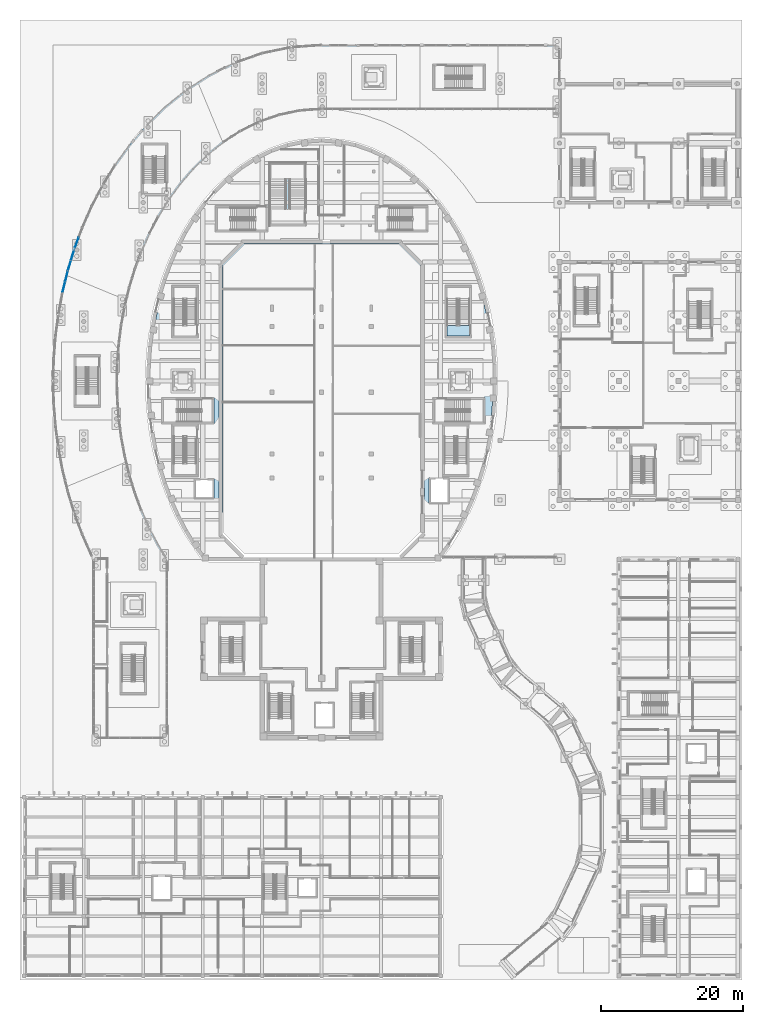
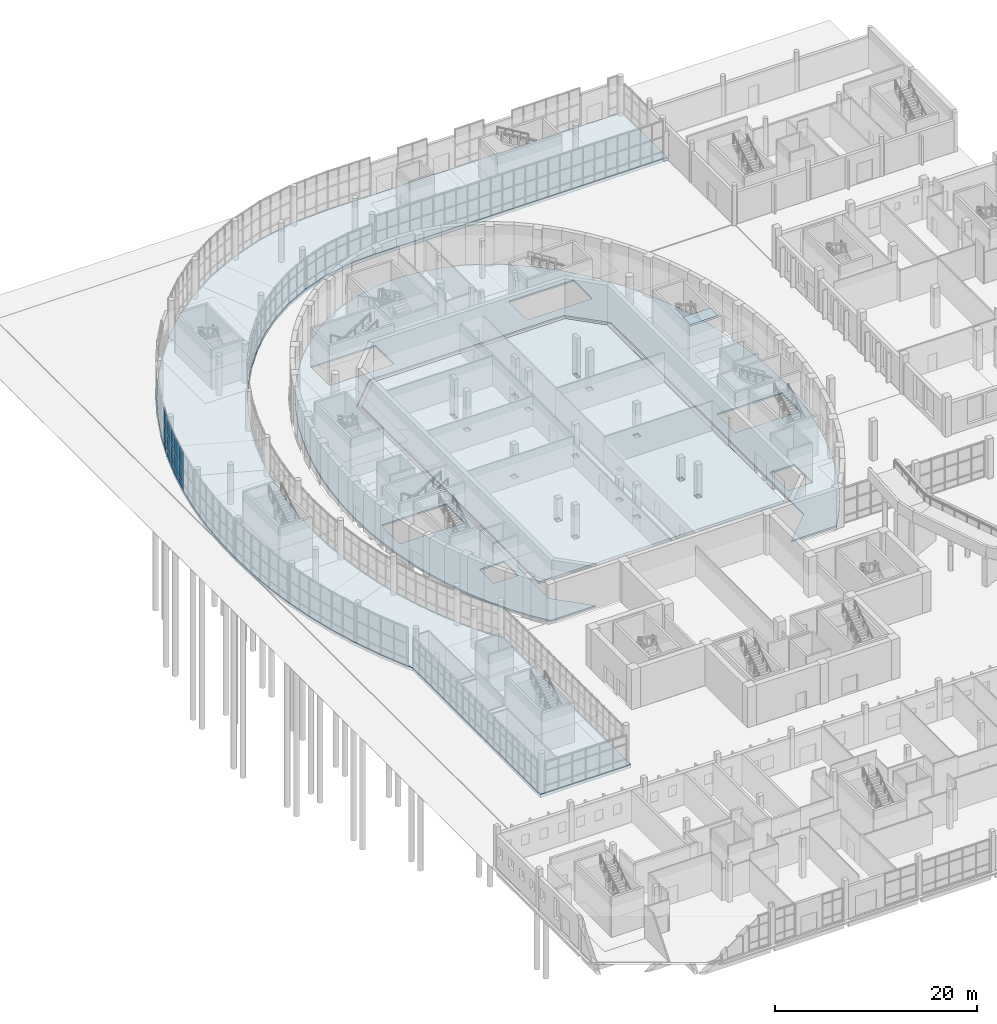
# One storey, part 46 of 110: 15 plates, 4 slabs, 4 elements without a shape of their own.
"""IFC4 building model written with IfcOpenShell, lengths in metres."""

from ifc_helpers import new_model, si_unit, direction, frame, origin, origin_2d, place, context, subcontext, project, spatial, polyline, rectangle, outline, extrude, material, layer, layer_set, type_object, element, aggregate, save


model = new_model("IFC4")

# Units and contexts
model_context = context("Model", 3, precision=1e-05, world=origin(), true_north=direction((0.0, 1.0)))
body_context = subcontext(model_context, "Body", "Model", "MODEL_VIEW")
ifc_project = project(units=[si_unit("LENGTHUNIT", "METRE"), si_unit("AREAUNIT", "SQUARE_METRE"), si_unit("VOLUMEUNIT", "CUBIC_METRE"), si_unit("PLANEANGLEUNIT", "RADIAN"), si_unit("MASSUNIT", "GRAM", prefix="KILO")], contexts=[model_context])

# Site, building, storey
site_placement = place(None, origin())
site = spatial("IfcSite", under=ifc_project, at=site_placement, CompositionType="ELEMENT")
building_placement = place(site_placement, origin())
building = spatial("IfcBuilding", under=site, at=building_placement, Name="Larchfold Concert Hall", CompositionType="ELEMENT")
storey_placement = place(building_placement, origin())
storey = spatial("IfcBuildingStorey", under=building, at=storey_placement, Name="L00", CompositionType="ELEMENT", Elevation=0.0)

# Slab
ifc_material_1 = material(Name="Concrete C35/45", Category="concrete")
ifc_layer_1 = layer(ifc_material_1, 0.39990234375)
ifc_layer_set_1 = layer_set([ifc_layer_1], Name="Concrete C35/45")
slab_type_1 = type_object("IfcSlabType", Name="Base slab 400", PredefinedType="BASESLAB", material=ifc_layer_set_1)
slab_1_placement = place(storey_placement, frame((0.0, 0.0, -0.400146484375)))
element("IfcSlab", 1, at=slab_1_placement, inside=storey, type_object=slab_type_1, Name="Slab S0008", PredefinedType="BASESLAB", context=body_context, shape_type="SweptSolid", body=[
    extrude(outline(polyline([(20.748779296875, 59.39990234375), (19.5185546875, 61.3994140625), (18.2529296875, 63.821044921875), (17.15625, 66.303955078125), (16.22021484375, 68.8369140625), (15.43896484375, 71.40966796875), (14.806884765625, 74.01318359375), (14.319580078125, 76.64013671875), (13.973876953125, 79.2841796875), (13.767333984375, 81.939453125), (13.69873046875, 84.60009765625), (13.767333984375, 87.2607421875), (13.973876953125, 89.916015625), (14.319580078125, 92.56005859375), (14.806884765625, 95.18701171875), (15.43896484375, 97.79052734375), (16.22021484375, 100.36328125), (17.15625, 102.896240234375), (18.2529296875, 105.379150390625), (19.5185546875, 107.80078125), (20.961669921875, 110.145751953125), (22.591552734375, 112.39599609375), (24.41748046875, 114.52783203125), (26.4482421875, 116.513427734375), (28.689697265625, 118.3173828125), (31.140625, 119.8974609375), (33.79150390625, 121.204833984375), (36.61669921875, 122.18896484375), (39.57275390625, 122.802001953125), (42.60009765625, 123.010498046875), (76.199951171875, 123.0), (76.199951171875, 132.0), (42.60009765625, 132.0), (38.343994140625, 131.738525390625), (34.212890625, 130.8818359375), (30.3076171875, 129.521728515625), (26.697509765625, 127.740966796875), (23.41552734375, 125.62548828125), (20.466796875, 123.252197265625), (17.841064453125, 120.6845703125), (15.517822265625, 117.972412109375), (13.47412109375, 115.151123046875), (11.688232421875, 112.2490234375), (10.139892578125, 109.285888671875), (8.810791015625, 106.277587890625), (7.685791015625, 103.23291015625), (6.753173828125, 100.161865234375), (6.002685546875, 97.07080078125), (5.4267578125, 93.96533203125), (5.01904296875, 90.84912109375), (4.7763671875, 87.725830078125), (4.695556640625, 84.60009765625), (4.7763671875, 81.474365234375), (5.01904296875, 78.35107421875), (5.4267578125, 75.23486328125), (6.002685546875, 72.12939453125), (6.753173828125, 69.038330078125), (7.685791015625, 65.96728515625), (8.810791015625, 62.922607421875), (10.139892578125, 59.914306640625), (10.408447265625, 59.39990234375), (10.408447265625, 34.199951171875), (20.748779296875, 34.199951171875), (20.748779296875, 59.39990234375)])), origin(), (0.0, 0.0, 1.0), 0.400146484375),
])

# Curtain wall, plates
ifc_material_2 = material(Name="Anodised graphite aluminium curtain wall", Category="aluminium")
ifc_layer_2 = layer(ifc_material_2, 0.14990234375)
ifc_layer_set_2 = layer_set([ifc_layer_2], Name="Anodised graphite aluminium curtain wall")
curtain_wall_type = type_object("IfcCurtainWallType", Name="Curtain wall WG", PredefinedType="NOTDEFINED", material=ifc_layer_set_2)
curtain_wall_1_placement = place(storey_placement, origin())
curtain_wall_1 = element("IfcCurtainWall", 2, at=curtain_wall_1_placement, inside=storey, type_object=curtain_wall_type, Name="Curtain wall CW0112", PredefinedType="NOTDEFINED")
ifc_material_3 = material(Name="Insulated glazing unit, glass", Category="glass")
ifc_layer_3 = layer(ifc_material_3, 0.028076171875)
ifc_layer_set_3 = layer_set([ifc_layer_3], Name="Insulated glazing unit, glass")
plate_type_1 = type_object("IfcPlateType", Name="Glass panel 28", PredefinedType="CURTAIN_PANEL", material=ifc_layer_set_3)
plate_1_placement = place(storey_placement, frame((8.01708984375, 104.129638671875, 0.93994140625), z_axis=(0.0, 0.0, 1.0), x_axis=(-0.346592402451, -0.938015834921, 0.0)))
plate_1 = element("IfcPlate", 3, at=plate_1_placement, type_object=plate_type_1, Name="CW0112 panel 2.2", PredefinedType="CURTAIN_PANEL", context=body_context, shape_type="SweptSolid", body=[
    extrude(rectangle(XDim=1.446533203125, YDim=0.028076171875, at=origin_2d()), origin(), (0.0, 0.0, 1.0), 1.719970703125),
])
plate_2_placement = place(storey_placement, frame((8.01708984375, 104.129638671875, 2.740234375), z_axis=(0.0, 0.0, 1.0), x_axis=(-0.346592402451, -0.938015834921, 0.0)))
plate_2 = element("IfcPlate", 4, at=plate_2_placement, type_object=plate_type_1, Name="CW0112 panel 2.3", PredefinedType="CURTAIN_PANEL", context=body_context, shape_type="SweptSolid", body=[
    extrude(rectangle(XDim=1.446533203125, YDim=0.028076171875, at=origin_2d()), origin(), (0.0, 0.0, 1.0), 1.829833984375),
])

curtain_wall_2_placement = place(storey_placement, origin())
curtain_wall_2 = element("IfcCurtainWall", 5, at=curtain_wall_2_placement, inside=storey, type_object=curtain_wall_type, Name="Curtain wall CW0113", PredefinedType="NOTDEFINED")
plate_3_placement = place(storey_placement, frame((7.412109375, 102.3310546875, 0.93994140625), z_axis=(0.0, 0.0, 1.0), x_axis=(-0.290621975967, -0.956837952364, 0.0)))
plate_3 = element("IfcPlate", 6, at=plate_3_placement, type_object=plate_type_1, Name="CW0113 panel 1.2", PredefinedType="CURTAIN_PANEL", context=body_context, shape_type="SweptSolid", body=[
    extrude(rectangle(XDim=1.431396484375, YDim=0.028076171875, at=origin_2d()), origin(), (0.0, 0.0, 1.0), 1.719970703125),
])
plate_4_placement = place(storey_placement, frame((7.412109375, 102.3310546875, 2.740234375), z_axis=(0.0, 0.0, 1.0), x_axis=(-0.290621975967, -0.956837952364, 0.0)))
plate_4 = element("IfcPlate", 7, at=plate_4_placement, type_object=plate_type_1, Name="CW0113 panel 1.3", PredefinedType="CURTAIN_PANEL", context=body_context, shape_type="SweptSolid", body=[
    extrude(rectangle(XDim=1.431396484375, YDim=0.028076171875, at=origin_2d()), origin(), (0.0, 0.0, 1.0), 1.829833984375),
])
plate_5_placement = place(storey_placement, frame((6.978515625, 100.904052734375, 0.93994140625), z_axis=(0.0, 0.0, 1.0), x_axis=(-0.290621975967, -0.956837952364, 0.0)))
plate_5 = element("IfcPlate", 8, at=plate_5_placement, type_object=plate_type_1, Name="CW0113 panel 2.2", PredefinedType="CURTAIN_PANEL", context=body_context, shape_type="SweptSolid", body=[
    extrude(rectangle(XDim=1.431396484375, YDim=0.028076171875, at=origin_2d()), origin(), (0.0, 0.0, 1.0), 1.719970703125),
])
plate_6_placement = place(storey_placement, frame((6.978515625, 100.904052734375, 2.740234375), z_axis=(0.0, 0.0, 1.0), x_axis=(-0.290621975967, -0.956837952364, 0.0)))
plate_6 = element("IfcPlate", 9, at=plate_6_placement, type_object=plate_type_1, Name="CW0113 panel 2.3", PredefinedType="CURTAIN_PANEL", context=body_context, shape_type="SweptSolid", body=[
    extrude(rectangle(XDim=1.431396484375, YDim=0.028076171875, at=origin_2d()), origin(), (0.0, 0.0, 1.0), 1.829833984375),
])

curtain_wall_3_placement = place(storey_placement, origin())
curtain_wall_3 = element("IfcCurtainWall", 10, at=curtain_wall_3_placement, inside=storey, type_object=curtain_wall_type, Name="Curtain wall CW0114", PredefinedType="NOTDEFINED")
plate_7_placement = place(storey_placement, frame((6.56201171875, 99.37451171875, 0.93994140625), z_axis=(0.0, 0.0, 1.0), x_axis=(-0.235938309687, -0.97176803509, 0.0)))
plate_7 = element("IfcPlate", 11, at=plate_7_placement, type_object=plate_type_1, Name="CW0114 panel 1.2", PredefinedType="CURTAIN_PANEL", context=body_context, shape_type="SweptSolid", body=[
    extrude(rectangle(XDim=1.50048828125, YDim=0.028076171875, at=origin_2d()), origin(), (0.0, 0.0, 1.0), 1.719970703125),
])
plate_8_placement = place(storey_placement, frame((6.56201171875, 99.37451171875, 2.740234375), z_axis=(0.0, 0.0, 1.0), x_axis=(-0.235938309687, -0.97176803509, 0.0)))
plate_8 = element("IfcPlate", 12, at=plate_8_placement, type_object=plate_type_1, Name="CW0114 panel 1.3", PredefinedType="CURTAIN_PANEL", context=body_context, shape_type="SweptSolid", body=[
    extrude(rectangle(XDim=1.50048828125, YDim=0.028076171875, at=origin_2d()), origin(), (0.0, 0.0, 1.0), 1.829833984375),
])
plate_9_placement = place(storey_placement, frame((6.19384765625, 97.858154296875, 0.93994140625), z_axis=(0.0, 0.0, 1.0), x_axis=(-0.235938309687, -0.97176803509, 0.0)))
plate_9 = element("IfcPlate", 13, at=plate_9_placement, type_object=plate_type_1, Name="CW0114 panel 2.2", PredefinedType="CURTAIN_PANEL", context=body_context, shape_type="SweptSolid", body=[
    extrude(rectangle(XDim=1.50048828125, YDim=0.028076171875, at=origin_2d()), origin(), (0.0, 0.0, 1.0), 1.719970703125),
])
plate_10_placement = place(storey_placement, frame((6.19384765625, 97.858154296875, 2.740234375), z_axis=(0.0, 0.0, 1.0), x_axis=(-0.235938309687, -0.97176803509, 0.0)))
plate_10 = element("IfcPlate", 14, at=plate_10_placement, type_object=plate_type_1, Name="CW0114 panel 2.3", PredefinedType="CURTAIN_PANEL", context=body_context, shape_type="SweptSolid", body=[
    extrude(rectangle(XDim=1.50048828125, YDim=0.028076171875, at=origin_2d()), origin(), (0.0, 0.0, 1.0), 1.829833984375),
])

# Plate
ifc_material_4 = material(Name="White insulated panel")
ifc_layer_4 = layer(ifc_material_4, 0.06005859375)
ifc_layer_set_4 = layer_set([ifc_layer_4], Name="White insulated panel")
plate_type_2 = type_object("IfcPlateType", Name="Insulated spandrel panel 60", PredefinedType="CURTAIN_PANEL", material=ifc_layer_set_4)
plate_11_placement = place(storey_placement, frame((8.01708984375, 104.129638671875, 0.080078125), z_axis=(0.0, 0.0, 1.0), x_axis=(-0.346592402451, -0.938015834921, 0.0)))
plate_11 = element("IfcPlate", 15, at=plate_11_placement, type_object=plate_type_2, Name="CW0112 panel 2.1", PredefinedType="CURTAIN_PANEL", context=body_context, shape_type="SweptSolid", body=[
    extrude(rectangle(XDim=1.446533203125, YDim=0.06005859375, at=origin_2d()), origin(), (0.0, 0.0, 1.0), 0.77978515625),
])

aggregate(curtain_wall_1, [plate_11, plate_1, plate_2])

plate_12_placement = place(storey_placement, frame((7.412109375, 102.3310546875, 0.080078125), z_axis=(0.0, 0.0, 1.0), x_axis=(-0.290621975967, -0.956837952364, 0.0)))
plate_12 = element("IfcPlate", 16, at=plate_12_placement, type_object=plate_type_2, Name="CW0113 panel 1.1", PredefinedType="CURTAIN_PANEL", context=body_context, shape_type="SweptSolid", body=[
    extrude(rectangle(XDim=1.431396484375, YDim=0.06005859375, at=origin_2d()), origin(), (0.0, 0.0, 1.0), 0.77978515625),
])

plate_13_placement = place(storey_placement, frame((6.978515625, 100.904052734375, 0.080078125), z_axis=(0.0, 0.0, 1.0), x_axis=(-0.290621975967, -0.956837952364, 0.0)))
plate_13 = element("IfcPlate", 17, at=plate_13_placement, type_object=plate_type_2, Name="CW0113 panel 2.1", PredefinedType="CURTAIN_PANEL", context=body_context, shape_type="SweptSolid", body=[
    extrude(rectangle(XDim=1.431396484375, YDim=0.06005859375, at=origin_2d()), origin(), (0.0, 0.0, 1.0), 0.77978515625),
])

aggregate(curtain_wall_2, [plate_12, plate_3, plate_4, plate_13, plate_5, plate_6])

plate_14_placement = place(storey_placement, frame((6.56201171875, 99.37451171875, 0.080078125), z_axis=(0.0, 0.0, 1.0), x_axis=(-0.235938309687, -0.97176803509, 0.0)))
plate_14 = element("IfcPlate", 18, at=plate_14_placement, type_object=plate_type_2, Name="CW0114 panel 1.1", PredefinedType="CURTAIN_PANEL", context=body_context, shape_type="SweptSolid", body=[
    extrude(rectangle(XDim=1.50048828125, YDim=0.06005859375, at=origin_2d()), origin(), (0.0, 0.0, 1.0), 0.77978515625),
])

plate_15_placement = place(storey_placement, frame((6.19384765625, 97.858154296875, 0.080078125), z_axis=(0.0, 0.0, 1.0), x_axis=(-0.235938309687, -0.97176803509, 0.0)))
plate_15 = element("IfcPlate", 19, at=plate_15_placement, type_object=plate_type_2, Name="CW0114 panel 2.1", PredefinedType="CURTAIN_PANEL", context=body_context, shape_type="SweptSolid", body=[
    extrude(rectangle(XDim=1.50048828125, YDim=0.06005859375, at=origin_2d()), origin(), (0.0, 0.0, 1.0), 0.77978515625),
])

aggregate(curtain_wall_3, [plate_14, plate_7, plate_8, plate_15, plate_9, plate_10])

# Slabs
ifc_material_5 = material(Name="Concrete C35/45", Category="concrete")
ifc_layer_5 = layer(ifc_material_5, 0.199951171875)
ifc_layer_set_5 = layer_set([ifc_layer_5], Name="Concrete C35/45")
slab_type_2 = type_object("IfcSlabType", Name="Slab 200", PredefinedType="FLOOR", material=ifc_layer_set_5)
slab_2_placement = place(storey_placement, frame((0.0, 0.0, -0.2001953125)))
element("IfcSlab", 20, at=slab_2_placement, inside=storey, type_object=slab_type_2, Name="Slab S0006", PredefinedType="FLOOR", context=body_context, shape_type="SweptSolid", body=[
    extrude(outline(polyline([(24.913818359375, 61.515380859375), (26.27978515625, 59.64990234375), (31.45751953125, 59.64990234375), (28.078857421875, 63.02880859375), (28.070068359375, 101.10009765625), (31.478759765625, 104.521240234375), (53.699951171875, 104.530029296875), (57.121337890625, 101.121337890625), (57.130126953125, 63.050048828125), (53.742431640625, 59.64990234375), (58.92041015625, 59.64990234375), (60.286376953125, 61.515380859375), (61.56884765625, 63.580078125), (62.703125, 65.731201171875), (63.69287109375, 67.953369140625), (64.541748046875, 70.234375), (65.253662109375, 72.562255859375), (65.83203125, 74.927490234375), (66.27880859375, 77.321533203125), (66.5966796875, 79.736328125), (66.786865234375, 82.164794921875), (66.85009765625, 84.60009765625), (66.78759765625, 87.020263671875), (66.599853515625, 89.433837890625), (66.285888671875, 91.833984375), (65.844482421875, 94.2138671875), (65.273681640625, 96.5654296875), (64.570556640625, 98.88037109375), (63.732177734375, 101.149169921875), (62.75537109375, 103.360595703125), (61.635986328125, 105.502685546875), (60.3701171875, 107.5595703125), (58.953857421875, 109.514892578125), (57.384765625, 111.3466796875), (55.661376953125, 113.03173828125), (53.78564453125, 114.541748046875), (51.763671875, 115.844970703125), (49.60888671875, 116.907958984375), (47.34130859375, 117.697509765625), (44.992431640625, 118.1845703125), (42.60009765625, 118.349609375), (40.207763671875, 118.1845703125), (37.85888671875, 117.697509765625), (35.59130859375, 116.907958984375), (33.4365234375, 115.844970703125), (31.41455078125, 114.541748046875), (29.538818359375, 113.03173828125), (27.8154296875, 111.3466796875), (26.246337890625, 109.514892578125), (24.830078125, 107.5595703125), (23.564208984375, 105.502685546875), (22.44482421875, 103.360595703125), (21.468017578125, 101.149169921875), (20.629638671875, 98.88037109375), (19.926513671875, 96.5654296875), (19.355712890625, 94.2138671875), (18.914306640625, 91.833984375), (18.600341796875, 89.433837890625), (18.41259765625, 87.020263671875), (18.35009765625, 84.60009765625), (18.413330078125, 82.164794921875), (18.603515625, 79.736328125), (18.92138671875, 77.321533203125), (19.3681640625, 74.927490234375), (19.946533203125, 72.562255859375), (20.658447265625, 70.234375), (21.50732421875, 67.953369140625), (22.4970703125, 65.731201171875), (23.63134765625, 63.580078125), (24.913818359375, 61.515380859375)]), holes=[polyline([(57.800048828125, 67.300048828125), (57.800048828125, 70.89990234375), (60.60009765625, 70.89990234375), (60.60009765625, 67.300048828125), (57.800048828125, 67.300048828125)]), polyline([(24.60009765625, 70.800048828125), (27.39990234375, 70.800048828125), (27.39990234375, 68.0), (24.60009765625, 68.0), (24.60009765625, 70.800048828125)]), polyline([(20.0, 82.25), (27.39990234375, 82.25), (27.39990234375, 78.550048828125), (20.0, 78.550048828125), (20.0, 82.25)]), polyline([(58.300048828125, 78.550048828125), (58.300048828125, 82.25), (65.699951171875, 82.25), (65.699951171875, 78.550048828125), (58.300048828125, 78.550048828125)]), polyline([(27.60009765625, 109.35009765625), (35.0, 109.35009765625), (35.0, 105.64990234375), (27.60009765625, 105.64990234375), (27.60009765625, 109.35009765625)]), polyline([(50.199951171875, 109.35009765625), (57.60009765625, 109.35009765625), (57.60009765625, 105.64990234375), (50.199951171875, 105.64990234375), (50.199951171875, 109.35009765625)])]), origin(), (0.0, 0.0, 1.0), 0.2001953125),
])
ifc_material_6 = material(Name="Concrete C35/45", Category="concrete")
ifc_layer_6 = layer(ifc_material_6, 0.25)
ifc_layer_set_6 = layer_set([ifc_layer_6], Name="Concrete C35/45")
slab_type_3 = type_object("IfcSlabType", Name="Slab 250 undercroft", PredefinedType="FLOOR", material=ifc_layer_set_6)
slab_3_placement = place(storey_placement, frame((0.0, 0.0, -0.25)))
element("IfcSlab", 21, at=slab_3_placement, inside=storey, type_object=slab_type_3, Name="Slab S0007", PredefinedType="FLOOR", context=body_context, shape_type="SweptSolid", body=[
    extrude(outline(polyline([(31.60009765625, 104.0), (28.60009765625, 101.0), (28.60009765625, 66.0), (56.60009765625, 66.0), (56.60009765625, 101.0), (53.60009765625, 104.0), (31.60009765625, 104.0)]), holes=[polyline([(35.300048828125, 71.199951171875), (35.89990234375, 71.199951171875), (35.89990234375, 70.60009765625), (35.300048828125, 70.60009765625), (35.300048828125, 71.199951171875)]), polyline([(42.300048828125, 71.199951171875), (42.89990234375, 71.199951171875), (42.89990234375, 70.60009765625), (42.300048828125, 70.60009765625), (42.300048828125, 71.199951171875)]), polyline([(35.300048828125, 74.60009765625), (35.89990234375, 74.60009765625), (35.89990234375, 74.0), (35.300048828125, 74.0), (35.300048828125, 74.60009765625)]), polyline([(42.300048828125, 74.60009765625), (42.89990234375, 74.60009765625), (42.89990234375, 74.0), (42.300048828125, 74.0), (42.300048828125, 74.60009765625)]), polyline([(35.300048828125, 83.300048828125), (35.89990234375, 83.300048828125), (35.89990234375, 82.699951171875), (35.300048828125, 82.699951171875), (35.300048828125, 83.300048828125)]), polyline([(42.300048828125, 83.300048828125), (42.89990234375, 83.300048828125), (42.89990234375, 82.699951171875), (42.300048828125, 82.699951171875), (42.300048828125, 83.300048828125)]), polyline([(35.300048828125, 92.60009765625), (35.89990234375, 92.60009765625), (35.89990234375, 92.0), (35.300048828125, 92.0), (35.300048828125, 92.60009765625)]), polyline([(42.300048828125, 92.60009765625), (42.89990234375, 92.60009765625), (42.89990234375, 92.0), (42.300048828125, 92.0), (42.300048828125, 92.60009765625)]), polyline([(35.39990234375, 95.35009765625), (35.800048828125, 95.35009765625), (35.800048828125, 94.449951171875), (35.39990234375, 94.449951171875), (35.39990234375, 95.35009765625)]), polyline([(42.39990234375, 95.35009765625), (42.800048828125, 95.35009765625), (42.800048828125, 94.449951171875), (42.39990234375, 94.449951171875), (42.39990234375, 95.35009765625)]), polyline([(49.300048828125, 71.199951171875), (49.89990234375, 71.199951171875), (49.89990234375, 70.60009765625), (49.300048828125, 70.60009765625), (49.300048828125, 71.199951171875)]), polyline([(49.300048828125, 74.60009765625), (49.89990234375, 74.60009765625), (49.89990234375, 74.0), (49.300048828125, 74.0), (49.300048828125, 74.60009765625)]), polyline([(49.300048828125, 82.699951171875), (49.300048828125, 83.300048828125), (49.89990234375, 83.300048828125), (49.89990234375, 82.699951171875), (49.300048828125, 82.699951171875)]), polyline([(49.300048828125, 92.60009765625), (49.89990234375, 92.60009765625), (49.89990234375, 92.0), (49.300048828125, 92.0), (49.300048828125, 92.60009765625)]), polyline([(49.39990234375, 95.35009765625), (49.800048828125, 95.35009765625), (49.800048828125, 94.449951171875), (49.39990234375, 94.449951171875), (49.39990234375, 95.35009765625)])]), origin(), (0.0, 0.0, 1.0), 0.25),
])

# Stair, slab
ifc_material_7 = material(Name="Concrete C35/45", Category="concrete")
stair_type = type_object("IfcStairType", Name="Stair RC half-turn enclosed", PredefinedType="HALF_TURN_STAIR", material=ifc_material_7)
stair_placement = place(storey_placement, origin())
stair = element("IfcStair", 22, at=stair_placement, inside=storey, type_object=stair_type, Name="Stair DS1", PredefinedType="HALF_TURN_STAIR")
ifc_material_8 = material(Name="Concrete C35/45", Category="concrete")
ifc_layer_7 = layer(ifc_material_8, 0.199951171875)
ifc_layer_set_7 = layer_set([ifc_layer_7], Name="Concrete C35/45")
slab_type_4 = type_object("IfcSlabType", Name="Stair landing RC 200", PredefinedType="LANDING", material=ifc_layer_set_7)
slab_4_placement = place(storey_placement, frame((0.0, 0.0, 4.60009765625)))
slab_4 = element("IfcSlab", 23, at=slab_4_placement, type_object=slab_type_4, Name="ST01 landing 2", PredefinedType="LANDING", context=body_context, shape_type="SweptSolid", body=[
    extrude(outline(polyline([(63.5, 90.949951171875), (63.5, 92.449951171875), (60.300048828125, 92.449951171875), (60.300048828125, 90.949951171875), (63.5, 90.949951171875)])), origin(), (0.0, 0.0, 1.0), 0.199951171875),
])
aggregate(stair, [slab_4])

save(model, "model.ifc")
